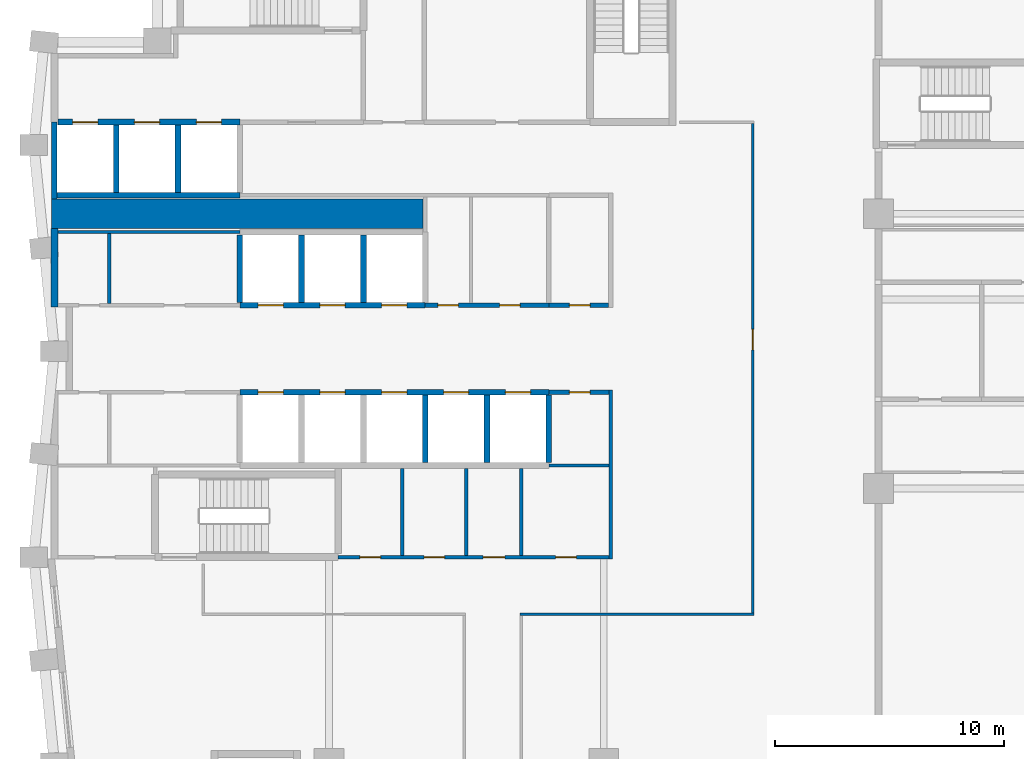
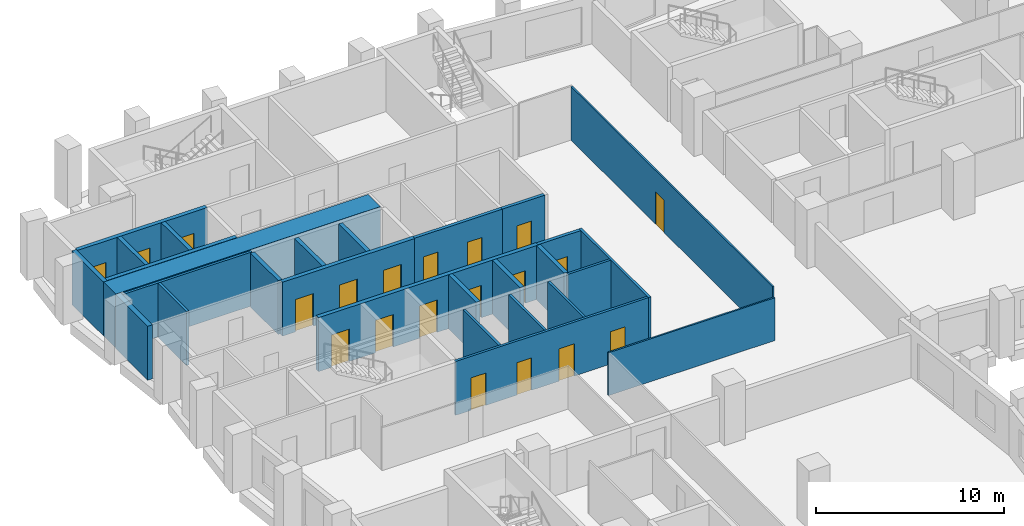
# One storey, part 5 of 11: 28 walls, 20 doors, 20 openings.
"""IFC4 building model written with IfcOpenShell, lengths in metres."""

from ifc_helpers import new_model, si_unit, direction, frame, frame_2d, origin, place, context, subcontext, project, spatial, rectangle, extrude, material, layer, layer_set, type_object, element, fill, save


model = new_model("IFC4")

# Units and contexts
model_context = context("Model", 3, precision=1e-05, world=origin(), true_north=direction((0.0, 1.0)))
body_context = subcontext(model_context, "Body", "Model", "MODEL_VIEW")
ifc_project = project(units=[si_unit("LENGTHUNIT", "METRE"), si_unit("AREAUNIT", "SQUARE_METRE"), si_unit("VOLUMEUNIT", "CUBIC_METRE"), si_unit("PLANEANGLEUNIT", "RADIAN"), si_unit("MASSUNIT", "GRAM", prefix="KILO")], contexts=[model_context])

# Site, building, storey
site_placement = place(None, origin())
site = spatial("IfcSite", under=ifc_project, at=site_placement, CompositionType="ELEMENT")
building_placement = place(site_placement, origin())
building = spatial("IfcBuilding", under=site, at=building_placement, Name="Brondeck Convention Tower", CompositionType="ELEMENT")
storey_placement = place(building_placement, frame((0.0, 0.0, 115.10009765625)))
storey = spatial("IfcBuildingStorey", under=building, at=storey_placement, Name="L27", CompositionType="ELEMENT", Elevation=115.10009765625)

# Wall, openings, doors
ifc_material_1 = material(Name="Concrete C70/85", Category="concrete")
ifc_layer_1 = layer(ifc_material_1, 0.14990234375)
ifc_layer_set_1 = layer_set([ifc_layer_1], Name="Core beam-seat wall 150 Concrete C70/85")
wall_type_1 = type_object("IfcWallType", Name="Core beam-seat wall 150 Concrete C70/85", PredefinedType="SHEAR", material=ifc_layer_set_1)
wall_1_placement = place(storey_placement, frame((12.39990234375, 36.0, 0.0), z_axis=(0.0, 0.0, 1.0), x_axis=(1.0, 0.0, 0.0)))
wall_1 = element("IfcWall", 1, at=wall_1_placement, inside=storey, type_object=wall_type_1, Name="L27 core wall", PredefinedType="SHEAR", context=body_context, shape_type="SweptSolid", body=[
    extrude(rectangle(XDim=11.8251953125, YDim=0.14990234375, at=frame_2d((5.91259765625, 0.0))), origin(), (0.0, 0.0, 1.0), 3.5),
])
opening_1_placement = place(wall_1_placement, frame((0.949951171875, 0.0, 0.0)))
opening_1 = element("IfcOpeningElement", 2, at=opening_1_placement, cuts=wall_1, Name="Opening C16-03", PredefinedType="OPENING", context=body_context, shape_type="SweptSolid", body=[
    extrude(rectangle(XDim=0.89990234375, YDim=2.10009765625, at=frame_2d((0.449951171875, 1.050048828125))), frame((0.0, 0.0849609375, 0.0), z_axis=(0.0, -1.0, 0.0), x_axis=(1.0, 0.0, 0.0)), (0.0, 0.0, 1.0), 0.169921875),
])
opening_2_placement = place(wall_1_placement, frame((3.75, 0.0, 0.0)))
opening_2 = element("IfcOpeningElement", 3, at=opening_2_placement, cuts=wall_1, Name="Opening C16-04", PredefinedType="OPENING", context=body_context, shape_type="SweptSolid", body=[
    extrude(rectangle(XDim=0.89990234375, YDim=2.10009765625, at=frame_2d((0.449951171875, 1.050048828125))), frame((0.0, 0.0849609375, 0.0), z_axis=(0.0, -1.0, 0.0), x_axis=(1.0, 0.0, 0.0)), (0.0, 0.0, 1.0), 0.169921875),
])
opening_3_placement = place(wall_1_placement, frame((6.324951171875, 0.0, 0.0)))
opening_3 = element("IfcOpeningElement", 4, at=opening_3_placement, cuts=wall_1, Name="Opening C16-05", PredefinedType="OPENING", context=body_context, shape_type="SweptSolid", body=[
    extrude(rectangle(XDim=0.949951171875, YDim=2.10009765625, at=frame_2d((0.47509765625, 1.050048828125))), frame((0.0, 0.0849609375, 0.0), z_axis=(0.0, -1.0, 0.0), x_axis=(1.0, 0.0, 0.0)), (0.0, 0.0, 1.0), 0.169921875),
])
opening_4_placement = place(wall_1_placement, frame((9.5, 0.0, 0.0)))
opening_4 = element("IfcOpeningElement", 5, at=opening_4_placement, cuts=wall_1, Name="Opening C16-06", PredefinedType="OPENING", context=body_context, shape_type="SweptSolid", body=[
    extrude(rectangle(XDim=0.89990234375, YDim=2.10009765625, at=frame_2d((0.449951171875, 1.050048828125))), frame((0.0, 0.0849609375, 0.0), z_axis=(0.0, -1.0, 0.0), x_axis=(1.0, 0.0, 0.0)), (0.0, 0.0, 1.0), 0.169921875),
])
ifc_material_2 = material(Name="Steel fire door", Category="steel")
door_type_1 = type_object("IfcDoorType", Name="Room door 900x2100 EI 60", OperationType="NOTDEFINED", PredefinedType="DOOR", material=ifc_material_2)
door_1_placement = place(opening_1_placement, origin())
door_1 = element("IfcDoor", 6, at=door_1_placement, inside=storey, type_object=door_type_1, Name="L27 Room door FR-1", OperationType="SINGLE_SWING_RIGHT", OverallHeight=2.10009765625, OverallWidth=0.89990234375, PredefinedType="DOOR", context=body_context, shape_type="SweptSolid", body=[
    extrude(rectangle(XDim=0.89990234375, YDim=2.10009765625, at=frame_2d((0.449951171875, 1.050048828125))), frame((0.0, 0.02490234375, 0.0), z_axis=(0.0, -1.0, 0.0), x_axis=(1.0, 0.0, 0.0)), (0.0, 0.0, 1.0), 0.050048828125),
])
fill(opening_1, door_1)
door_2_placement = place(opening_2_placement, origin())
door_2 = element("IfcDoor", 7, at=door_2_placement, inside=storey, type_object=door_type_1, Name="L27 Room door FR-2", OperationType="SINGLE_SWING_LEFT", OverallHeight=2.10009765625, OverallWidth=0.89990234375, PredefinedType="DOOR", context=body_context, shape_type="SweptSolid", body=[
    extrude(rectangle(XDim=0.89990234375, YDim=2.10009765625, at=frame_2d((0.449951171875, 1.050048828125))), frame((0.0, 0.02490234375, 0.0), z_axis=(0.0, -1.0, 0.0), x_axis=(1.0, 0.0, 0.0)), (0.0, 0.0, 1.0), 0.050048828125),
])
fill(opening_2, door_2)
door_3_placement = place(opening_4_placement, origin())
door_3 = element("IfcDoor", 8, at=door_3_placement, inside=storey, type_object=door_type_1, Name="L27 Room door FR-4", OperationType="SINGLE_SWING_LEFT", OverallHeight=2.10009765625, OverallWidth=0.89990234375, PredefinedType="DOOR", context=body_context, shape_type="SweptSolid", body=[
    extrude(rectangle(XDim=0.89990234375, YDim=2.10009765625, at=frame_2d((0.449951171875, 1.050048828125))), frame((0.0, 0.02490234375, 0.0), z_axis=(0.0, -1.0, 0.0), x_axis=(1.0, 0.0, 0.0)), (0.0, 0.0, 1.0), 0.050048828125),
])
fill(opening_4, door_3)
door_type_2 = type_object("IfcDoorType", Name="Room door 950x2100 EI 60", OperationType="NOTDEFINED", PredefinedType="DOOR", material=ifc_material_2)
door_4_placement = place(opening_3_placement, origin())
door_4 = element("IfcDoor", 9, at=door_4_placement, inside=storey, type_object=door_type_2, Name="L27 Room door FR-3", OperationType="SINGLE_SWING_RIGHT", OverallHeight=2.10009765625, OverallWidth=0.949951171875, PredefinedType="DOOR", context=body_context, shape_type="SweptSolid", body=[
    extrude(rectangle(XDim=0.949951171875, YDim=2.10009765625, at=frame_2d((0.47509765625, 1.050048828125))), frame((0.0, 0.02490234375, 0.0), z_axis=(0.0, -1.0, 0.0), x_axis=(1.0, 0.0, 0.0)), (0.0, 0.0, 1.0), 0.050048828125),
])
fill(opening_3, door_4)

# Walls
ifc_layer_2 = layer(ifc_material_1, 0.300048828125)
ifc_layer_set_2 = layer_set([ifc_layer_2], Name="Core outer wall 300 Concrete C70/85")
wall_type_2 = type_object("IfcWallType", Name="Core outer wall 300 Concrete C70/85", PredefinedType="SHEAR", material=ifc_layer_set_2)
wall_2_placement = place(storey_placement, frame((0.0, 46.925048828125, 0.0), z_axis=(0.0, 0.0, 1.0), x_axis=(0.0, 1.0, 0.0)))
element("IfcWall", 10, at=wall_2_placement, inside=storey, type_object=wall_type_2, Name="L27 core wall", PredefinedType="SHEAR", context=body_context, shape_type="SweptSolid", body=[
    extrude(rectangle(XDim=3.425048828125, YDim=0.300048828125, at=frame_2d((1.71240234375, 0.0))), origin(), (0.0, 0.0, 1.0), 3.5),
])
ifc_material_3 = material(Name="Fire-rated gypsum board partition")
ifc_layer_3 = layer(ifc_material_3, 0.14990234375)
ifc_layer_set_3 = layer_set([ifc_layer_3], Name="Core partition 150 EI 60")
wall_type_3 = type_object("IfcWallType", Name="Core partition 150 EI 60", PredefinedType="PARTITIONING", material=ifc_layer_set_3)
wall_3_placement = place(storey_placement, frame((21.60009765625, 40.0, 0.0), z_axis=(0.0, 0.0, 1.0), x_axis=(1.0, 0.0, 0.0)))
element("IfcWall", 11, at=wall_3_placement, inside=storey, type_object=wall_type_3, Name="L27 core wall", PredefinedType="PARTITIONING", context=body_context, shape_type="SweptSolid", body=[
    extrude(rectangle(XDim=2.625, YDim=0.14990234375, at=frame_2d((1.3125, 0.0))), origin(), (0.0, 0.0, 1.0), 3.5),
])
wall_4_placement = place(storey_placement, frame((0.14990234375, 50.199951171875, 0.0), z_axis=(0.0, 0.0, 1.0), x_axis=(1.0, 0.0, 0.0)))
element("IfcWall", 12, at=wall_4_placement, inside=storey, type_object=wall_type_3, Name="L27 core wall", PredefinedType="PARTITIONING", context=body_context, shape_type="SweptSolid", body=[
    extrude(rectangle(XDim=7.9501953125, YDim=0.14990234375, at=frame_2d((3.97509765625, 0.0))), origin(), (0.0, 0.0, 1.0), 3.5),
])
wall_5_placement = place(storey_placement, frame((2.39990234375, 47.074951171875, 0.0), z_axis=(0.0, 0.0, 1.0), x_axis=(0.0, 1.0, 0.0)))
element("IfcWall", 13, at=wall_5_placement, inside=storey, type_object=wall_type_3, Name="L27 core wall", PredefinedType="PARTITIONING", context=body_context, shape_type="SweptSolid", body=[
    extrude(rectangle(XDim=3.050048828125, YDim=0.14990234375, at=frame_2d((1.52490234375, 0.0))), origin(), (0.0, 0.0, 1.0), 3.5),
])
for number, where, z_axis, x_axis, name in (
    (14, (15.199951171875, 36.074951171875, 0.0), (0.0, 0.0, 1.0), (0.0, 1.0, 0.0), "L27 core wall"),
    (15, (18.0, 36.074951171875, 0.0), (0.0, 0.0, 1.0), (0.0, 1.0, 0.0), "L27 core wall"),
    (16, (20.39990234375, 36.074951171875, 0.0), (0.0, 0.0, 1.0), (0.0, 1.0, 0.0), "L27 core wall"),
):
    element("IfcWall", number, at=place(storey_placement, frame(where, z_axis=z_axis, x_axis=x_axis)), inside=storey, type_object=wall_type_3, Name=name, PredefinedType="PARTITIONING", context=body_context, shape_type="SweptSolid", body=[
        extrude(rectangle(XDim=3.800048828125, YDim=0.14990234375, at=frame_2d((1.89990234375, 0.0))), origin(), (0.0, 0.0, 1.0), 3.5),
    ])
wall_6_placement = place(storey_placement, frame((24.300048828125, 35.925048828125, 0.0), z_axis=(0.0, 0.0, 1.0), x_axis=(0.0, 1.0, 0.0)))
element("IfcWall", 17, at=wall_6_placement, inside=storey, type_object=wall_type_3, Name="L27 core wall", PredefinedType="PARTITIONING", context=body_context, shape_type="SweptSolid", body=[
    extrude(rectangle(XDim=7.375, YDim=0.14990234375, at=frame_2d((3.6875, 0.0))), origin(), (0.0, 0.0, 1.0), 3.5),
])
ifc_layer_4 = layer(ifc_material_1, 1.300048828125)
ifc_layer_set_4 = layer_set([ifc_layer_4], Name="Core shear wall 1300 Concrete C70/85")
wall_type_4 = type_object("IfcWallType", Name="Core shear wall 1300 Concrete C70/85", PredefinedType="SHEAR", material=ifc_layer_set_4)
wall_7_placement = place(storey_placement, frame((-0.125, 51.0, 0.0), z_axis=(0.0, 0.0, 1.0), x_axis=(1.0, 0.0, 0.0)))
element("IfcWall", 18, at=wall_7_placement, inside=storey, type_object=wall_type_4, Name="L27 core wall", PredefinedType="SHEAR", context=body_context, shape_type="SweptSolid", body=[
    extrude(rectangle(XDim=16.22509765625, YDim=1.300048828125, at=frame_2d((8.112548828125, 0.0))), origin(), (0.0, 0.0, 1.0), 3.5),
])

# Wall, opening, door
ifc_layer_5 = layer(ifc_material_3, 0.199951171875)
ifc_layer_set_5 = layer_set([ifc_layer_5], Name="Lift lobby wall 200 EI 60")
wall_type_5 = type_object("IfcWallType", Name="Lift lobby wall 200 EI 60", PredefinedType="PARTITIONING", material=ifc_layer_set_5)
wall_8_placement = place(storey_placement, frame((21.60009765625, 43.199951171875, 0.0), z_axis=(0.0, 0.0, 1.0), x_axis=(1.0, 0.0, 0.0)))
wall_8 = element("IfcWall", 19, at=wall_8_placement, inside=storey, type_object=wall_type_5, Name="L27 core wall", PredefinedType="PARTITIONING", context=body_context, shape_type="SweptSolid", body=[
    extrude(rectangle(XDim=2.625, YDim=0.199951171875, at=frame_2d((1.3125, 0.0))), origin(), (0.0, 0.0, 1.0), 3.5),
])
opening_5_placement = place(wall_8_placement, frame((0.89990234375, 0.0, 0.0)))
opening_5 = element("IfcOpeningElement", 20, at=opening_5_placement, cuts=wall_8, Name="Opening C16-14", PredefinedType="OPENING", context=body_context, shape_type="SweptSolid", body=[
    extrude(rectangle(XDim=0.89990234375, YDim=2.10009765625, at=frame_2d((0.449951171875, 1.050048828125))), frame((0.0, 0.10986328125, 0.0), z_axis=(0.0, -1.0, 0.0), x_axis=(1.0, 0.0, 0.0)), (0.0, 0.0, 1.0), 0.219970703125),
])
door_5_placement = place(opening_5_placement, origin())
door_5 = element("IfcDoor", 21, at=door_5_placement, inside=storey, type_object=door_type_1, Name="L27 Room door FZ-S-21.6-1", OperationType="SINGLE_SWING_RIGHT", OverallHeight=2.10009765625, OverallWidth=0.89990234375, PredefinedType="DOOR", context=body_context, shape_type="SweptSolid", body=[
    extrude(rectangle(XDim=0.89990234375, YDim=2.10009765625, at=frame_2d((0.449951171875, 1.050048828125))), frame((0.0, 0.02490234375, 0.0), z_axis=(0.0, -1.0, 0.0), x_axis=(1.0, 0.0, 0.0)), (0.0, 0.0, 1.0), 0.050048828125),
])
fill(opening_5, door_5)

# Wall, openings, doors
wall_9_placement = place(storey_placement, frame((16.199951171875, 47.0, 0.0), z_axis=(0.0, 0.0, 1.0), x_axis=(1.0, 0.0, 0.0)))
wall_9 = element("IfcWall", 22, at=wall_9_placement, inside=storey, type_object=wall_type_5, Name="L27 core wall", PredefinedType="PARTITIONING", context=body_context, shape_type="SweptSolid", body=[
    extrude(rectangle(XDim=5.400146484375, YDim=0.199951171875, at=frame_2d((2.7001953125, 0.0))), origin(), (0.0, 0.0, 1.0), 3.5),
])
opening_6_placement = place(wall_9_placement, frame((0.550048828125, 0.0, 0.0)))
opening_6 = element("IfcOpeningElement", 23, at=opening_6_placement, cuts=wall_9, Name="Opening C16-10", PredefinedType="OPENING", context=body_context, shape_type="SweptSolid", body=[
    extrude(rectangle(XDim=0.89990234375, YDim=2.10009765625, at=frame_2d((0.449951171875, 1.050048828125))), frame((0.0, 0.10986328125, 0.0), z_axis=(0.0, -1.0, 0.0), x_axis=(1.0, 0.0, 0.0)), (0.0, 0.0, 1.0), 0.219970703125),
])
opening_7_placement = place(wall_9_placement, frame((3.25, 0.0, 0.0)))
opening_7 = element("IfcOpeningElement", 24, at=opening_7_placement, cuts=wall_9, Name="Opening C16-11", PredefinedType="OPENING", context=body_context, shape_type="SweptSolid", body=[
    extrude(rectangle(XDim=0.89990234375, YDim=2.10009765625, at=frame_2d((0.449951171875, 1.050048828125))), frame((0.0, 0.10986328125, 0.0), z_axis=(0.0, -1.0, 0.0), x_axis=(1.0, 0.0, 0.0)), (0.0, 0.0, 1.0), 0.219970703125),
])
door_6_placement = place(opening_6_placement, origin())
door_6 = element("IfcDoor", 25, at=door_6_placement, inside=storey, type_object=door_type_1, Name="L27 Room door FZ-N-16.2-1", OperationType="SINGLE_SWING_LEFT", OverallHeight=2.10009765625, OverallWidth=0.89990234375, PredefinedType="DOOR", context=body_context, shape_type="SweptSolid", body=[
    extrude(rectangle(XDim=0.89990234375, YDim=2.10009765625, at=frame_2d((0.449951171875, 1.050048828125))), frame((0.0, 0.02490234375, 0.0), z_axis=(0.0, -1.0, 0.0), x_axis=(1.0, 0.0, 0.0)), (0.0, 0.0, 1.0), 0.050048828125),
])
fill(opening_6, door_6)
door_7_placement = place(opening_7_placement, origin())
door_7 = element("IfcDoor", 26, at=door_7_placement, inside=storey, type_object=door_type_1, Name="L27 Room door FZ-N-16.2-2", OperationType="SINGLE_SWING_RIGHT", OverallHeight=2.10009765625, OverallWidth=0.89990234375, PredefinedType="DOOR", context=body_context, shape_type="SweptSolid", body=[
    extrude(rectangle(XDim=0.89990234375, YDim=2.10009765625, at=frame_2d((0.449951171875, 1.050048828125))), frame((0.0, 0.02490234375, 0.0), z_axis=(0.0, -1.0, 0.0), x_axis=(1.0, 0.0, 0.0)), (0.0, 0.0, 1.0), 0.050048828125),
])
fill(opening_7, door_7)

ifc_layer_6 = layer(ifc_material_1, 0.25)
ifc_layer_set_6 = layer_set([ifc_layer_6], Name="Lift shaft wall 250 Concrete C70/85")
wall_type_6 = type_object("IfcWallType", Name="Lift shaft wall 250 Concrete C70/85", PredefinedType="SHEAR", material=ifc_layer_set_6)
wall_10_placement = place(storey_placement, frame((8.10009765625, 43.199951171875, 0.0), z_axis=(0.0, 0.0, 1.0), x_axis=(1.0, 0.0, 0.0)))
wall_10 = element("IfcWall", 27, at=wall_10_placement, inside=storey, type_object=wall_type_6, Name="L27 core wall", PredefinedType="SHEAR", context=body_context, shape_type="SweptSolid", body=[
    extrude(rectangle(XDim=13.5, YDim=0.25, at=frame_2d((6.75, 0.0))), origin(), (0.0, 0.0, 1.0), 3.5),
])
opening_8_placement = place(wall_10_placement, frame((0.800048828125, 0.0, 0.0)))
opening_8 = element("IfcOpeningElement", 28, at=opening_8_placement, cuts=wall_10, Name="Opening C16-27", PredefinedType="OPENING", context=body_context, shape_type="SweptSolid", body=[
    extrude(rectangle(XDim=1.10009765625, YDim=2.10009765625, at=frame_2d((0.550048828125, 1.050048828125))), frame((0.0, 0.135009765625, 0.0), z_axis=(0.0, -1.0, 0.0), x_axis=(1.0, 0.0, 0.0)), (0.0, 0.0, 1.0), 0.27001953125),
])
opening_9_placement = place(wall_10_placement, frame((3.5, 0.0, 0.0)))
opening_9 = element("IfcOpeningElement", 29, at=opening_9_placement, cuts=wall_10, Name="Opening C16-28", PredefinedType="OPENING", context=body_context, shape_type="SweptSolid", body=[
    extrude(rectangle(XDim=1.10009765625, YDim=2.10009765625, at=frame_2d((0.550048828125, 1.050048828125))), frame((0.0, 0.135009765625, 0.0), z_axis=(0.0, -1.0, 0.0), x_axis=(1.0, 0.0, 0.0)), (0.0, 0.0, 1.0), 0.27001953125),
])
opening_10_placement = place(wall_10_placement, frame((6.199951171875, 0.0, 0.0)))
opening_10 = element("IfcOpeningElement", 30, at=opening_10_placement, cuts=wall_10, Name="Opening C16-29", PredefinedType="OPENING", context=body_context, shape_type="SweptSolid", body=[
    extrude(rectangle(XDim=1.10009765625, YDim=2.10009765625, at=frame_2d((0.550048828125, 1.050048828125))), frame((0.0, 0.135009765625, 0.0), z_axis=(0.0, -1.0, 0.0), x_axis=(1.0, 0.0, 0.0)), (0.0, 0.0, 1.0), 0.27001953125),
])
opening_11_placement = place(wall_10_placement, frame((8.89990234375, 0.0, 0.0)))
opening_11 = element("IfcOpeningElement", 31, at=opening_11_placement, cuts=wall_10, Name="Opening C16-33", PredefinedType="OPENING", context=body_context, shape_type="SweptSolid", body=[
    extrude(rectangle(XDim=1.10009765625, YDim=2.10009765625, at=frame_2d((0.550048828125, 1.050048828125))), frame((0.0, 0.135009765625, 0.0), z_axis=(0.0, -1.0, 0.0), x_axis=(1.0, 0.0, 0.0)), (0.0, 0.0, 1.0), 0.27001953125),
])
opening_12_placement = place(wall_10_placement, frame((11.60009765625, 0.0, 0.0)))
opening_12 = element("IfcOpeningElement", 32, at=opening_12_placement, cuts=wall_10, Name="Opening C16-34", PredefinedType="OPENING", context=body_context, shape_type="SweptSolid", body=[
    extrude(rectangle(XDim=1.10009765625, YDim=2.10009765625, at=frame_2d((0.550048828125, 1.050048828125))), frame((0.0, 0.135009765625, 0.0), z_axis=(0.0, -1.0, 0.0), x_axis=(1.0, 0.0, 0.0)), (0.0, 0.0, 1.0), 0.27001953125),
])
ifc_material_4 = material(Name="Stainless steel lift door", Category="steel")
door_type_3 = type_object("IfcDoorType", Name="Lift landing door 1100x2100 EI 180", OperationType="DOUBLE_DOOR_SLIDING", PredefinedType="DOOR", material=ifc_material_4)
door_8_placement = place(opening_8_placement, origin())
door_8 = element("IfcDoor", 33, at=door_8_placement, inside=storey, type_object=door_type_3, Name="L27 Lift landing door LR1", OperationType="DOUBLE_DOOR_SLIDING", OverallHeight=2.10009765625, OverallWidth=1.10009765625, PredefinedType="DOOR", context=body_context, shape_type="SweptSolid", body=[
    extrude(rectangle(XDim=1.10009765625, YDim=2.10009765625, at=frame_2d((0.550048828125, 1.050048828125))), frame((0.0, 0.02490234375, 0.0), z_axis=(0.0, -1.0, 0.0), x_axis=(1.0, 0.0, 0.0)), (0.0, 0.0, 1.0), 0.050048828125),
])
fill(opening_8, door_8)
door_9_placement = place(opening_9_placement, origin())
door_9 = element("IfcDoor", 34, at=door_9_placement, inside=storey, type_object=door_type_3, Name="L27 Lift landing door LR2", OperationType="DOUBLE_DOOR_SLIDING", OverallHeight=2.10009765625, OverallWidth=1.10009765625, PredefinedType="DOOR", context=body_context, shape_type="SweptSolid", body=[
    extrude(rectangle(XDim=1.10009765625, YDim=2.10009765625, at=frame_2d((0.550048828125, 1.050048828125))), frame((0.0, 0.02490234375, 0.0), z_axis=(0.0, -1.0, 0.0), x_axis=(1.0, 0.0, 0.0)), (0.0, 0.0, 1.0), 0.050048828125),
])
fill(opening_9, door_9)
door_10_placement = place(opening_10_placement, origin())
door_10 = element("IfcDoor", 35, at=door_10_placement, inside=storey, type_object=door_type_3, Name="L27 Lift landing door LR3", OperationType="DOUBLE_DOOR_SLIDING", OverallHeight=2.10009765625, OverallWidth=1.10009765625, PredefinedType="DOOR", context=body_context, shape_type="SweptSolid", body=[
    extrude(rectangle(XDim=1.10009765625, YDim=2.10009765625, at=frame_2d((0.550048828125, 1.050048828125))), frame((0.0, 0.02490234375, 0.0), z_axis=(0.0, -1.0, 0.0), x_axis=(1.0, 0.0, 0.0)), (0.0, 0.0, 1.0), 0.050048828125),
])
fill(opening_10, door_10)
door_11_placement = place(opening_11_placement, origin())
door_11 = element("IfcDoor", 36, at=door_11_placement, inside=storey, type_object=door_type_3, Name="L27 Lift landing door SH1", OperationType="DOUBLE_DOOR_SLIDING", OverallHeight=2.10009765625, OverallWidth=1.10009765625, PredefinedType="DOOR", context=body_context, shape_type="SweptSolid", body=[
    extrude(rectangle(XDim=1.10009765625, YDim=2.10009765625, at=frame_2d((0.550048828125, 1.050048828125))), frame((0.0, 0.02490234375, 0.0), z_axis=(0.0, -1.0, 0.0), x_axis=(1.0, 0.0, 0.0)), (0.0, 0.0, 1.0), 0.050048828125),
])
fill(opening_11, door_11)
door_12_placement = place(opening_12_placement, origin())
door_12 = element("IfcDoor", 37, at=door_12_placement, inside=storey, type_object=door_type_3, Name="L27 Lift landing door SH2", OperationType="DOUBLE_DOOR_SLIDING", OverallHeight=2.10009765625, OverallWidth=1.10009765625, PredefinedType="DOOR", context=body_context, shape_type="SweptSolid", body=[
    extrude(rectangle(XDim=1.10009765625, YDim=2.10009765625, at=frame_2d((0.550048828125, 1.050048828125))), frame((0.0, 0.02490234375, 0.0), z_axis=(0.0, -1.0, 0.0), x_axis=(1.0, 0.0, 0.0)), (0.0, 0.0, 1.0), 0.050048828125),
])
fill(opening_12, door_12)

wall_11_placement = place(storey_placement, frame((8.10009765625, 47.0, 0.0), z_axis=(0.0, 0.0, 1.0), x_axis=(1.0, 0.0, 0.0)))
wall_11 = element("IfcWall", 38, at=wall_11_placement, inside=storey, type_object=wall_type_6, Name="L27 core wall", PredefinedType="SHEAR", context=body_context, shape_type="SweptSolid", body=[
    extrude(rectangle(XDim=8.099853515625, YDim=0.25, at=frame_2d((4.0498046875, 0.0))), origin(), (0.0, 0.0, 1.0), 3.5),
])
opening_13_placement = place(wall_11_placement, frame((0.800048828125, 0.0, 0.0)))
opening_13 = element("IfcOpeningElement", 39, at=opening_13_placement, cuts=wall_11, Name="Opening C16-30", PredefinedType="OPENING", context=body_context, shape_type="SweptSolid", body=[
    extrude(rectangle(XDim=1.10009765625, YDim=2.10009765625, at=frame_2d((0.550048828125, 1.050048828125))), frame((0.0, 0.135009765625, 0.0), z_axis=(0.0, -1.0, 0.0), x_axis=(1.0, 0.0, 0.0)), (0.0, 0.0, 1.0), 0.27001953125),
])
opening_14_placement = place(wall_11_placement, frame((3.5, 0.0, 0.0)))
opening_14 = element("IfcOpeningElement", 40, at=opening_14_placement, cuts=wall_11, Name="Opening C16-31", PredefinedType="OPENING", context=body_context, shape_type="SweptSolid", body=[
    extrude(rectangle(XDim=1.10009765625, YDim=2.10009765625, at=frame_2d((0.550048828125, 1.050048828125))), frame((0.0, 0.135009765625, 0.0), z_axis=(0.0, -1.0, 0.0), x_axis=(1.0, 0.0, 0.0)), (0.0, 0.0, 1.0), 0.27001953125),
])
opening_15_placement = place(wall_11_placement, frame((6.199951171875, 0.0, 0.0)))
opening_15 = element("IfcOpeningElement", 41, at=opening_15_placement, cuts=wall_11, Name="Opening C16-32", PredefinedType="OPENING", context=body_context, shape_type="SweptSolid", body=[
    extrude(rectangle(XDim=1.10009765625, YDim=2.10009765625, at=frame_2d((0.550048828125, 1.050048828125))), frame((0.0, 0.135009765625, 0.0), z_axis=(0.0, -1.0, 0.0), x_axis=(1.0, 0.0, 0.0)), (0.0, 0.0, 1.0), 0.27001953125),
])
door_13_placement = place(opening_13_placement, origin())
door_13 = element("IfcDoor", 42, at=door_13_placement, inside=storey, type_object=door_type_3, Name="L27 Lift landing door LR4", OperationType="DOUBLE_DOOR_SLIDING", OverallHeight=2.10009765625, OverallWidth=1.10009765625, PredefinedType="DOOR", context=body_context, shape_type="SweptSolid", body=[
    extrude(rectangle(XDim=1.10009765625, YDim=2.10009765625, at=frame_2d((0.550048828125, 1.050048828125))), frame((0.0, 0.02490234375, 0.0), z_axis=(0.0, -1.0, 0.0), x_axis=(1.0, 0.0, 0.0)), (0.0, 0.0, 1.0), 0.050048828125),
])
fill(opening_13, door_13)
door_14_placement = place(opening_14_placement, origin())
door_14 = element("IfcDoor", 43, at=door_14_placement, inside=storey, type_object=door_type_3, Name="L27 Lift landing door LR5", OperationType="DOUBLE_DOOR_SLIDING", OverallHeight=2.10009765625, OverallWidth=1.10009765625, PredefinedType="DOOR", context=body_context, shape_type="SweptSolid", body=[
    extrude(rectangle(XDim=1.10009765625, YDim=2.10009765625, at=frame_2d((0.550048828125, 1.050048828125))), frame((0.0, 0.02490234375, 0.0), z_axis=(0.0, -1.0, 0.0), x_axis=(1.0, 0.0, 0.0)), (0.0, 0.0, 1.0), 0.050048828125),
])
fill(opening_14, door_14)
door_15_placement = place(opening_15_placement, origin())
door_15 = element("IfcDoor", 44, at=door_15_placement, inside=storey, type_object=door_type_3, Name="L27 Lift landing door LR6", OperationType="DOUBLE_DOOR_SLIDING", OverallHeight=2.10009765625, OverallWidth=1.10009765625, PredefinedType="DOOR", context=body_context, shape_type="SweptSolid", body=[
    extrude(rectangle(XDim=1.10009765625, YDim=2.10009765625, at=frame_2d((0.550048828125, 1.050048828125))), frame((0.0, 0.02490234375, 0.0), z_axis=(0.0, -1.0, 0.0), x_axis=(1.0, 0.0, 0.0)), (0.0, 0.0, 1.0), 0.050048828125),
])
fill(opening_15, door_15)

# Wall
wall_12_placement = place(storey_placement, frame((0.125, 51.800048828125, 0.0), z_axis=(0.0, 0.0, 1.0), x_axis=(1.0, 0.0, 0.0)))
element("IfcWall", 45, at=wall_12_placement, inside=storey, type_object=wall_type_6, Name="L27 core wall", PredefinedType="SHEAR", context=body_context, shape_type="SweptSolid", body=[
    extrude(rectangle(XDim=7.97509765625, YDim=0.25, at=frame_2d((3.987548828125, 0.0))), origin(), (0.0, 0.0, 1.0), 3.5),
])

# Wall, openings, doors
wall_13_placement = place(storey_placement, frame((0.14990234375, 55.0, 0.0), z_axis=(0.0, 0.0, 1.0), x_axis=(1.0, 0.0, 0.0)))
wall_13 = element("IfcWall", 46, at=wall_13_placement, inside=storey, type_object=wall_type_6, Name="L27 core wall", PredefinedType="SHEAR", context=body_context, shape_type="SweptSolid", body=[
    extrude(rectangle(XDim=7.9501953125, YDim=0.25, at=frame_2d((3.97509765625, 0.0))), origin(), (0.0, 0.0, 1.0), 3.5),
])
opening_16_placement = place(wall_13_placement, frame((0.64990234375, 0.0, 0.0)))
opening_16 = element("IfcOpeningElement", 47, at=opening_16_placement, cuts=wall_13, Name="Opening C16-24", PredefinedType="OPENING", context=body_context, shape_type="SweptSolid", body=[
    extrude(rectangle(XDim=1.10009765625, YDim=2.10009765625, at=frame_2d((0.550048828125, 1.050048828125))), frame((0.0, 0.135009765625, 0.0), z_axis=(0.0, -1.0, 0.0), x_axis=(1.0, 0.0, 0.0)), (0.0, 0.0, 1.0), 0.27001953125),
])
opening_17_placement = place(wall_13_placement, frame((3.35009765625, 0.0, 0.0)))
opening_17 = element("IfcOpeningElement", 48, at=opening_17_placement, cuts=wall_13, Name="Opening C16-25", PredefinedType="OPENING", context=body_context, shape_type="SweptSolid", body=[
    extrude(rectangle(XDim=1.10009765625, YDim=2.10009765625, at=frame_2d((0.550048828125, 1.050048828125))), frame((0.0, 0.135009765625, 0.0), z_axis=(0.0, -1.0, 0.0), x_axis=(1.0, 0.0, 0.0)), (0.0, 0.0, 1.0), 0.27001953125),
])
opening_18_placement = place(wall_13_placement, frame((6.050048828125, 0.0, 0.0)))
opening_18 = element("IfcOpeningElement", 49, at=opening_18_placement, cuts=wall_13, Name="Opening C16-26", PredefinedType="OPENING", context=body_context, shape_type="SweptSolid", body=[
    extrude(rectangle(XDim=1.10009765625, YDim=2.10009765625, at=frame_2d((0.550048828125, 1.050048828125))), frame((0.0, 0.135009765625, 0.0), z_axis=(0.0, -1.0, 0.0), x_axis=(1.0, 0.0, 0.0)), (0.0, 0.0, 1.0), 0.27001953125),
])
door_16_placement = place(opening_16_placement, origin())
door_16 = element("IfcDoor", 50, at=door_16_placement, inside=storey, type_object=door_type_3, Name="L27 Lift landing door FF1", OperationType="DOUBLE_DOOR_SLIDING", OverallHeight=2.10009765625, OverallWidth=1.10009765625, PredefinedType="DOOR", context=body_context, shape_type="SweptSolid", body=[
    extrude(rectangle(XDim=1.10009765625, YDim=2.10009765625, at=frame_2d((0.550048828125, 1.050048828125))), frame((0.0, 0.02490234375, 0.0), z_axis=(0.0, -1.0, 0.0), x_axis=(1.0, 0.0, 0.0)), (0.0, 0.0, 1.0), 0.050048828125),
])
fill(opening_16, door_16)
door_17_placement = place(opening_17_placement, origin())
door_17 = element("IfcDoor", 51, at=door_17_placement, inside=storey, type_object=door_type_3, Name="L27 Lift landing door FF2", OperationType="DOUBLE_DOOR_SLIDING", OverallHeight=2.10009765625, OverallWidth=1.10009765625, PredefinedType="DOOR", context=body_context, shape_type="SweptSolid", body=[
    extrude(rectangle(XDim=1.10009765625, YDim=2.10009765625, at=frame_2d((0.550048828125, 1.050048828125))), frame((0.0, 0.02490234375, 0.0), z_axis=(0.0, -1.0, 0.0), x_axis=(1.0, 0.0, 0.0)), (0.0, 0.0, 1.0), 0.050048828125),
])
fill(opening_17, door_17)
door_18_placement = place(opening_18_placement, origin())
door_18 = element("IfcDoor", 52, at=door_18_placement, inside=storey, type_object=door_type_3, Name="L27 Lift landing door FF3", OperationType="DOUBLE_DOOR_SLIDING", OverallHeight=2.10009765625, OverallWidth=1.10009765625, PredefinedType="DOOR", context=body_context, shape_type="SweptSolid", body=[
    extrude(rectangle(XDim=1.10009765625, YDim=2.10009765625, at=frame_2d((0.550048828125, 1.050048828125))), frame((0.0, 0.02490234375, 0.0), z_axis=(0.0, -1.0, 0.0), x_axis=(1.0, 0.0, 0.0)), (0.0, 0.0, 1.0), 0.050048828125),
])
fill(opening_18, door_18)

# Walls
wall_14_placement = place(storey_placement, frame((0.0, 51.64990234375, 0.0), z_axis=(0.0, 0.0, 1.0), x_axis=(0.0, 1.0, 0.0)))
element("IfcWall", 53, at=wall_14_placement, inside=storey, type_object=wall_type_6, Name="L27 core wall", PredefinedType="SHEAR", context=body_context, shape_type="SweptSolid", body=[
    extrude(rectangle(XDim=3.35009765625, YDim=0.25, at=frame_2d((1.675048828125, 0.0))), origin(), (0.0, 0.0, 1.0), 3.5),
])
for number, where, z_axis, x_axis, name in (
    (54, (2.699951171875, 51.925048828125, 0.0), (0.0, 0.0, 1.0), (0.0, 1.0, 0.0), "L27 core wall"),
    (55, (5.39990234375, 51.925048828125, 0.0), (0.0, 0.0, 1.0), (0.0, 1.0, 0.0), "L27 core wall"),
    (56, (8.10009765625, 47.125, 0.0), (0.0, 0.0, 1.0), (0.0, 1.0, 0.0), "L27 core wall"),
    (57, (10.800048828125, 47.125, 0.0), (0.0, 0.0, 1.0), (0.0, 1.0, 0.0), "L27 core wall"),
    (58, (13.5, 47.125, 0.0), (0.0, 0.0, 1.0), (0.0, 1.0, 0.0), "L27 core wall"),
    (59, (16.199951171875, 40.125, 0.0), (0.0, 0.0, 1.0), (0.0, 1.0, 0.0), "L27 core wall"),
    (60, (18.89990234375, 40.125, 0.0), (0.0, 0.0, 1.0), (0.0, 1.0, 0.0), "L27 core wall"),
    (61, (21.60009765625, 40.125, 0.0), (0.0, 0.0, 1.0), (0.0, 1.0, 0.0), "L27 core wall"),
):
    element("IfcWall", number, at=place(storey_placement, frame(where, z_axis=z_axis, x_axis=x_axis)), inside=storey, type_object=wall_type_6, Name=name, PredefinedType="SHEAR", context=body_context, shape_type="SweptSolid", body=[
        extrude(rectangle(XDim=2.949951171875, YDim=0.25, at=frame_2d((1.47509765625, 0.0))), origin(), (0.0, 0.0, 1.0), 3.5),
    ])

# Wall, opening, door
ifc_layer_7 = layer(ifc_material_3, 0.199951171875)
ifc_layer_set_7 = layer_set([ifc_layer_7], Name="Riser wall 200 EI 120")
wall_type_7 = type_object("IfcWallType", Name="Riser wall 200 EI 120", PredefinedType="PARTITIONING", material=ifc_layer_set_7)
wall_15_placement = place(storey_placement, frame((21.60009765625, 47.0, 0.0), z_axis=(0.0, 0.0, 1.0), x_axis=(1.0, 0.0, 0.0)))
wall_15 = element("IfcWall", 62, at=wall_15_placement, inside=storey, type_object=wall_type_7, Name="L27 core wall", PredefinedType="PARTITIONING", context=body_context, shape_type="SweptSolid", body=[
    extrude(rectangle(XDim=2.599853515625, YDim=0.199951171875, at=frame_2d((1.2998046875, 0.0))), origin(), (0.0, 0.0, 1.0), 3.5),
])
opening_19_placement = place(wall_15_placement, frame((0.89990234375, 0.0, 0.0)))
opening_19 = element("IfcOpeningElement", 63, at=opening_19_placement, cuts=wall_15, Name="Opening C16-02", PredefinedType="OPENING", context=body_context, shape_type="SweptSolid", body=[
    extrude(rectangle(XDim=0.89990234375, YDim=2.10009765625, at=frame_2d((0.449951171875, 1.050048828125))), frame((0.0, 0.10986328125, 0.0), z_axis=(0.0, -1.0, 0.0), x_axis=(1.0, 0.0, 0.0)), (0.0, 0.0, 1.0), 0.219970703125),
])
door_type_4 = type_object("IfcDoorType", Name="Riser door 900x2100 EI 120", OperationType="NOTDEFINED", PredefinedType="DOOR", material=ifc_material_2)
door_19_placement = place(opening_19_placement, origin())
door_19 = element("IfcDoor", 64, at=door_19_placement, inside=storey, type_object=door_type_4, Name="L27 Riser door EN-1", OperationType="SINGLE_SWING_LEFT", OverallHeight=2.10009765625, OverallWidth=0.89990234375, PredefinedType="DOOR", context=body_context, shape_type="SweptSolid", body=[
    extrude(rectangle(XDim=0.89990234375, YDim=2.10009765625, at=frame_2d((0.449951171875, 1.050048828125))), frame((0.0, 0.02490234375, 0.0), z_axis=(0.0, -1.0, 0.0), x_axis=(1.0, 0.0, 0.0)), (0.0, 0.0, 1.0), 0.050048828125),
])
fill(opening_19, door_19)

# Wall
ifc_material_5 = material(Name="Gypsum board partition on steel studs", Category="steel")
ifc_layer_8 = layer(ifc_material_5, 0.10009765625)
ifc_layer_set_8 = layer_set([ifc_layer_8], Name="Room partition 100")
wall_type_8 = type_object("IfcWallType", Name="Room partition 100", PredefinedType="PARTITIONING", material=ifc_layer_set_8)
wall_16_placement = place(storey_placement, frame((30.550048828125, 33.5, 0.0), z_axis=(0.0, 0.0, 1.0), x_axis=(-1.0, 0.0, 0.0)))
element("IfcWall", 65, at=wall_16_placement, inside=storey, type_object=wall_type_8, Name="FLR-L27-W022", PredefinedType="PARTITIONING", context=body_context, shape_type="SweptSolid", body=[
    extrude(rectangle(XDim=10.199951171875, YDim=0.10009765625, at=frame_2d((5.10009765625, 0.0))), origin(), (0.0, 0.0, 1.0), 2.77978515625),
])

# Wall, opening, door
wall_17_placement = place(storey_placement, frame((30.5, 54.949951171875, 0.0), z_axis=(0.0, 0.0, 1.0), x_axis=(0.0, -1.0, 0.0)))
wall_17 = element("IfcWall", 66, at=wall_17_placement, inside=storey, type_object=wall_type_8, Name="FLR-L27-W064", PredefinedType="PARTITIONING", context=body_context, shape_type="SweptSolid", body=[
    extrude(rectangle(XDim=21.39990234375, YDim=0.10009765625, at=frame_2d((10.699951171875, 0.0))), origin(), (0.0, 0.0, 1.0), 3.47998046875),
])
opening_20_placement = place(wall_17_placement, frame((9.0, 0.0, 0.0)))
opening_20 = element("IfcOpeningElement", 67, at=opening_20_placement, cuts=wall_17, Name="Opening OF-C-019", PredefinedType="OPENING", context=body_context, shape_type="SweptSolid", body=[
    extrude(rectangle(XDim=0.89990234375, YDim=2.10009765625, at=frame_2d((0.449951171875, 1.050048828125))), frame((0.0, 0.06005859375, 0.0), z_axis=(0.0, -1.0, 0.0), x_axis=(1.0, 0.0, 0.0)), (0.0, 0.0, 1.0), 0.1201171875),
])
ifc_material_6 = material(Name="Solid timber door leaf", Category="wood")
door_type_5 = type_object("IfcDoorType", Name="Single door 900", OperationType="NOTDEFINED", PredefinedType="DOOR", material=ifc_material_6)
door_20_placement = place(opening_20_placement, origin())
door_20 = element("IfcDoor", 68, at=door_20_placement, inside=storey, type_object=door_type_5, Name="Door OF-C-019", OperationType="SINGLE_SWING_LEFT", OverallHeight=2.10009765625, OverallWidth=0.89990234375, PredefinedType="DOOR", context=body_context, shape_type="SweptSolid", body=[
    extrude(rectangle(XDim=0.89990234375, YDim=2.10009765625, at=frame_2d((0.449951171875, 1.050048828125))), frame((0.0, 0.02490234375, 0.0), z_axis=(0.0, -1.0, 0.0), x_axis=(1.0, 0.0, 0.0)), (0.0, 0.0, 1.0), 0.050048828125),
])
fill(opening_20, door_20)

save(model, "model.ifc")
